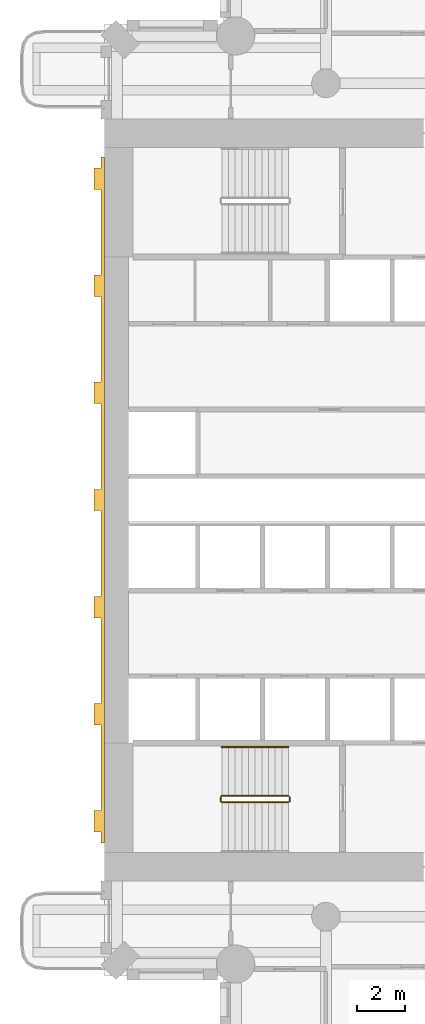
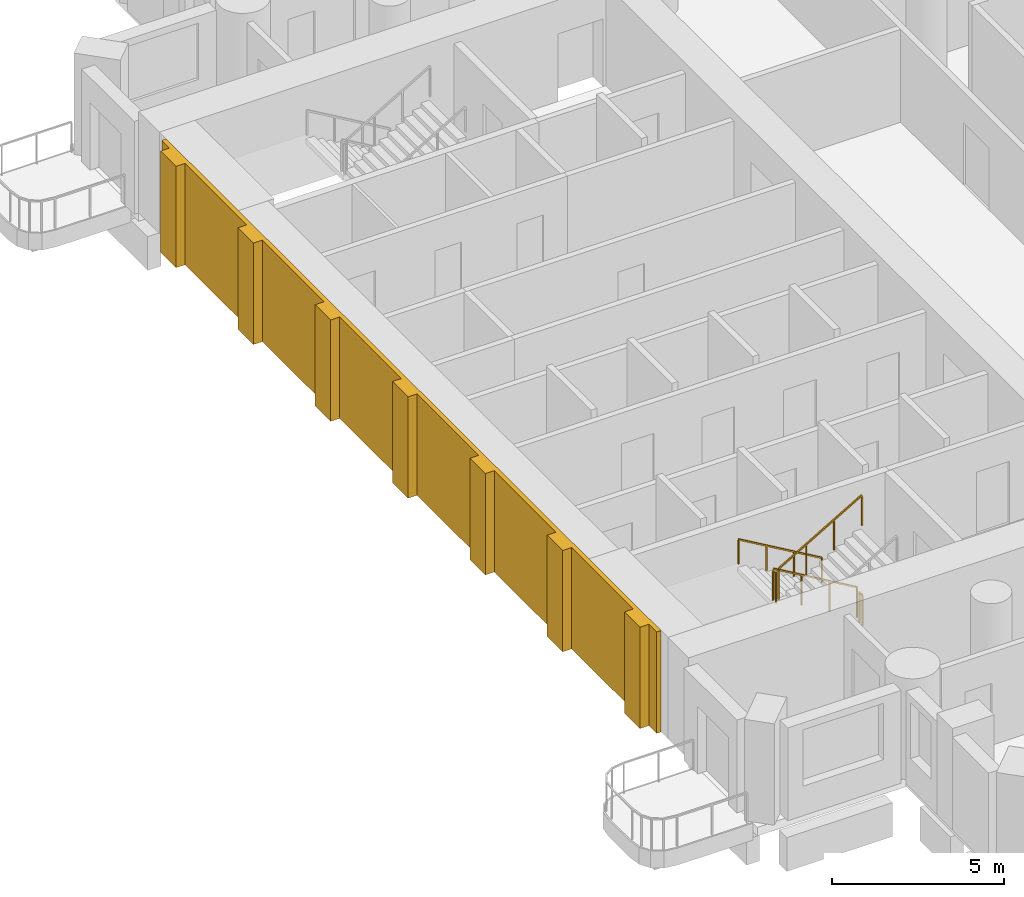
# One storey, part 13 of 19: 5 railings, 1 covering.
"""IFC4 building model written with IfcOpenShell, lengths in metres."""

import ifcopenshell
import ifcopenshell.guid

model = None  # the IFC model being written
_history = None  # IfcOwnerHistory: only IFC2X3 demands one
_inside = {}  # id of a spatial element -> (the spatial element, [elements in it])
_under = {}  # id of a project, library or spatial element -> (it, [spatial elements below it])
_declared = {}  # id of a project -> (the project, [libraries it declares])
_typed = {}  # id of a type object -> (the type object, [elements of that type])
_made_of = {}  # id of a material, layer set ... -> (it, [elements and type objects made of it])


def new_model(schema):
    """Start an empty IFC model of exactly this schema.

    Asked for "IFC4X3", IfcOpenShell would pick the latest addendum, in which some entities
    have other attributes; the version numbers below select the first issue.
    IFC2X3 requires an IfcOwnerHistory on every rooted entity: one is made here for all.
    """
    global model, _history
    if schema == "IFC4X3":
        model = ifcopenshell.file(schema_version=(4, 3, 0, 0))
    else:
        model = ifcopenshell.file(schema=schema)
    _inside.clear()
    _under.clear()
    _declared.clear()
    _typed.clear()
    _made_of.clear()
    _history = None
    if model.schema == "IFC2X3":
        org = make("IfcOrganization", Name="unknown")
        user = make(
            "IfcPersonAndOrganization",
            ThePerson=make("IfcPerson", FamilyName="unknown"),
            TheOrganization=org,
        )
        app = make(
            "IfcApplication",
            ApplicationDeveloper=org,
            Version="unknown",
            ApplicationFullName="unknown",
            ApplicationIdentifier="unknown",
        )
        _history = make(
            "IfcOwnerHistory",
            OwningUser=user,
            OwningApplication=app,
            ChangeAction="ADDED",
            CreationDate=0,
        )
    return model


def make(cls, **values):
    """One entity of the class cls with the attributes given. An attribute that is None is left unset."""
    return model.create_entity(
        cls, **{name: value for name, value in values.items() if value is not None}
    )


def rooted(cls, **values):
    """An entity with a GlobalId (a new one), such as an element, a storey or a relation."""
    return make(cls, GlobalId=ifcopenshell.guid.new(), OwnerHistory=_history, **values)


def si_unit(unit_type, name, prefix=None):
    """IfcSIUnit, for example si_unit("LENGTHUNIT", "METRE", prefix="MILLI")."""
    return make("IfcSIUnit", UnitType=unit_type, Prefix=prefix, Name=name)


def assignment(units):
    """IfcUnitAssignment: the units of a project."""
    return None if units is None else make("IfcUnitAssignment", Units=units)


def point(xyz):
    """IfcCartesianPoint."""
    return None if xyz is None else make("IfcCartesianPoint", Coordinates=xyz)


def direction(xyz):
    """IfcDirection."""
    return None if xyz is None else make("IfcDirection", DirectionRatios=xyz)


def frame(location, z_axis=None, x_axis=None):
    """IfcAxis2Placement3D, a coordinate frame: its origin and axes. An axis left out is left unset."""
    return make(
        "IfcAxis2Placement3D",
        Location=point(location),
        Axis=direction(z_axis),
        RefDirection=direction(x_axis),
    )


def frame_2d(location, x_axis=None):
    """IfcAxis2Placement2D, a coordinate frame in the plane: its origin and x axis."""
    return make(
        "IfcAxis2Placement2D", Location=point(location), RefDirection=direction(x_axis)
    )


def origin():
    """The frame at (0, 0, 0) with its axes left unset."""
    return frame((0.0, 0.0, 0.0))


def origin_2d():
    """The frame at (0, 0) in the plane with its x axis left unset."""
    return frame_2d((0.0, 0.0))


def place(relative_to, where):
    """IfcLocalPlacement: puts the frame where relative to a parent placement (None: the world)."""
    return make(
        "IfcLocalPlacement", PlacementRelTo=relative_to, RelativePlacement=where
    )


def context(
    kind, dimensions, precision=None, world=None, true_north=None, identifier=None
):
    """IfcGeometricRepresentationContext, for example the 3D "Model" context."""
    return make(
        "IfcGeometricRepresentationContext",
        ContextIdentifier=identifier,
        ContextType=kind,
        CoordinateSpaceDimension=dimensions,
        Precision=precision,
        WorldCoordinateSystem=world,
        TrueNorth=true_north,
    )


def subcontext(parent, identifier, kind, view, scale=None):
    """IfcGeometricRepresentationSubContext, for example "Body" below "Model"."""
    return make(
        "IfcGeometricRepresentationSubContext",
        ContextIdentifier=identifier,
        ContextType=kind,
        ParentContext=parent,
        TargetScale=scale,
        TargetView=view,
    )


def project(units=None, contexts=None):
    """IfcProject with its units and contexts."""
    return rooted(
        "IfcProject",
        Name="project",
        RepresentationContexts=contexts,
        UnitsInContext=assignment(units),
    )


def spatial(cls, under=None, at=None, **own):
    """A site, building, storey or space (cls), placed at a placement, below another one or the project."""
    s = rooted(cls, ObjectPlacement=at, **own)
    if under is not None:
        _under.setdefault(under.id(), (under, []))[1].append(s)
    return s


def polyline(points):
    """IfcPolyline through the points."""
    return make("IfcPolyline", Points=[point(p) for p in points])


def profile(cls, at=None, kind="AREA", **sizes):
    """A parametric profile (cls). Its sizes go by their IFC names, for example OverallWidth=200.0."""
    return make(cls, ProfileType=kind, Position=at, **sizes)


def rectangle(**sizes):
    """IfcRectangleProfileDef."""
    return profile("IfcRectangleProfileDef", **sizes)


def outline(outer, holes=None, kind="AREA"):
    """IfcArbitraryClosedProfileDef: a profile drawn as a closed curve; with holes, ...WithVoids."""
    if holes is None:
        return make("IfcArbitraryClosedProfileDef", ProfileType=kind, OuterCurve=outer)
    return make(
        "IfcArbitraryProfileDefWithVoids",
        ProfileType=kind,
        OuterCurve=outer,
        InnerCurves=holes,
    )


def extrude(swept, where, along, depth):
    """IfcExtrudedAreaSolid: the profile swept, set in the frame where, extruded along a direction by depth."""
    return make(
        "IfcExtrudedAreaSolid",
        SweptArea=swept,
        Position=where,
        ExtrudedDirection=direction(along),
        Depth=depth,
    )


def shape(context_of_items, identifier, shape_type, items):
    """IfcShapeRepresentation: the items that make up one representation, for example the "Body"."""
    return make(
        "IfcShapeRepresentation",
        ContextOfItems=context_of_items,
        RepresentationIdentifier=identifier,
        RepresentationType=shape_type,
        Items=items,
    )


def material(Name=None, Category=None):
    """IfcMaterial."""
    return make("IfcMaterial", Name=Name, Category=Category)


def layer(
    of_material, thickness, ventilated=None, Name=None, Category=None, Priority=None
):
    """IfcMaterialLayer: one layer of a wall or slab, of a material (None: an air gap)."""
    return make(
        "IfcMaterialLayer",
        Material=of_material,
        LayerThickness=thickness,
        IsVentilated=ventilated,
        Name=Name,
        Category=Category,
        Priority=Priority,
    )


def layer_set(layers, Name=None):
    """IfcMaterialLayerSet."""
    return make("IfcMaterialLayerSet", MaterialLayers=layers, LayerSetName=Name)


def made_of(thing, what):
    """Note that an element or type object is made of a material, layer set ...; save() writes the relation."""
    if what is not None:
        _made_of.setdefault(what.id(), (what, []))[1].append(thing)
    return thing


def type_object(cls, material=None, **own):
    """A type object (cls), such as IfcWallType, which elements share."""
    return made_of(rooted(cls, **own), material)


def element(
    cls,
    number,
    at=None,
    inside=None,
    cuts=None,
    type_object=None,
    material=None,
    context=None,
    identifier="Body",
    shape_type=None,
    held_by="IfcProductDefinitionShape",
    body=None,
    shapes=None,
    **own,
):
    """One element of the class cls, such as IfcWall. Its Tag is "e" and its number.

    at: its placement. inside: the storey or other place that contains it. cuts: it is an
    opening in that element (IfcRelVoidsElement). A single representation is given by context,
    identifier, shape_type and body (its items); several are given by shapes. held_by: the class
    of the entity that holds the representations. save() writes the other relations.
    """
    e = rooted(cls, Tag="e%d" % number, ObjectPlacement=at, **own)
    if body is not None:
        shapes = [shape(context, identifier, shape_type, body)]
    if shapes is not None:
        e.Representation = make(held_by, Representations=shapes)
    if inside is not None:
        _inside.setdefault(inside.id(), (inside, []))[1].append(e)
    if cuts is not None:
        rooted(
            "IfcRelVoidsElement", RelatingBuildingElement=cuts, RelatedOpeningElement=e
        )
    if type_object is not None:
        _typed.setdefault(type_object.id(), (type_object, []))[1].append(e)
    return made_of(e, material)


def aggregate(whole, parts):
    """IfcRelAggregates: a whole, such as a stair, and the parts it consists of."""
    return rooted("IfcRelAggregates", RelatingObject=whole, RelatedObjects=parts)


def save(model, path):
    """Write the relations noted so far, then the file.

    IfcRelAggregates (storeys below a building ...), IfcRelContainedInSpatialStructure (elements
    in a storey), IfcRelDefinesByType, IfcRelAssociatesMaterial and IfcRelDeclares: one each for
    every whole, place, type object, material and project.
    """
    for whole, parts in _under.values():
        aggregate(whole, parts)
    for where, things in _inside.values():
        rooted(
            "IfcRelContainedInSpatialStructure",
            RelatedElements=things,
            RelatingStructure=where,
        )
    for kind, things in _typed.values():
        rooted("IfcRelDefinesByType", RelatedObjects=things, RelatingType=kind)
    for what, things in _made_of.values():
        rooted("IfcRelAssociatesMaterial", RelatedObjects=things, RelatingMaterial=what)
    for by, libraries in _declared.values():
        rooted("IfcRelDeclares", RelatingContext=by, RelatedDefinitions=libraries)
    model.write(path)


model = new_model("IFC4")

# Units and contexts
model_context = context("Model", 3, precision=1e-05, world=origin(), true_north=direction((0.0, 1.0)))
body_context = subcontext(model_context, "Body", "Model", "MODEL_VIEW")
ifc_project = project(units=[si_unit("LENGTHUNIT", "METRE"), si_unit("AREAUNIT", "SQUARE_METRE"), si_unit("VOLUMEUNIT", "CUBIC_METRE"), si_unit("PLANEANGLEUNIT", "RADIAN"), si_unit("MASSUNIT", "GRAM", prefix="KILO")], contexts=[model_context])

# Site, building, storey
site_placement = place(None, origin())
site = spatial("IfcSite", under=ifc_project, at=site_placement, CompositionType="ELEMENT")
building_placement = place(site_placement, origin())
building = spatial("IfcBuilding", under=site, at=building_placement, Name="Cypress Arch Tower", CompositionType="ELEMENT")
storey_placement = place(building_placement, frame((0.0, 0.0, 69.89990234375)))
storey = spatial("IfcBuildingStorey", under=building, at=storey_placement, Name="L11", CompositionType="ELEMENT", Elevation=69.89990234375)

# Railings
ifc_material_1 = material(Name="Black powder-coated steel square bar 48 mm", Category="steel")
railing_type_1 = type_object("IfcRailingType", Name="Stair handrail HR1", PredefinedType="HANDRAIL", material=ifc_material_1)
railing_1_placement = place(storey_placement, frame((-22.27490234375, -10.375, 0.163818359375)))
element("IfcRailing", 1, at=railing_1_placement, inside=storey, type_object=railing_type_1, Name="L11 A stair handrail 1", PredefinedType="HANDRAIL", context=body_context, shape_type="SweptSolid", body=[
    extrude(rectangle(XDim=0.048095703125, YDim=0.048095703125, at=origin_2d()), frame((0.0, 0.0, 0.8759765625), z_axis=(-0.863393664356, 0.0, 0.504530851732), x_axis=(0.0, -1.0, 0.0)), (0.0, 0.0, 1.0), 3.2431640625),
    extrude(rectangle(XDim=0.0419921875, YDim=0.0419921875, at=origin_2d()), origin(), (0.0, 0.0, 1.0), 0.851806640625),
    extrude(rectangle(XDim=0.0419921875, YDim=0.0419921875, at=origin_2d()), frame((-0.933349609375, 0.0, 0.54541015625)), (0.0, 0.0, 1.0), 0.851806640625),
    extrude(rectangle(XDim=0.0419921875, YDim=0.0419921875, at=origin_2d()), frame((-1.86669921875, 0.0, 1.0908203125)), (0.0, 0.0, 1.0), 0.851806640625),
    extrude(rectangle(XDim=0.0419921875, YDim=0.0419921875, at=origin_2d()), frame((-2.800048828125, 0.0, 1.63623046875)), (0.0, 0.0, 1.0), 0.851806640625),
])
ifc_material_2 = material(Name="Black powder-coated steel balusters", Category="steel")
railing_type_2 = type_object("IfcRailingType", Name="Stair well guard G1", PredefinedType="GUARDRAIL", material=ifc_material_2)
railing_2_placement = place(storey_placement, frame((-22.27490234375, -12.425048828125, 0.163818359375)))
element("IfcRailing", 2, at=railing_2_placement, inside=storey, type_object=railing_type_2, Name="L11 A stair guard 1", PredefinedType="GUARDRAIL", context=body_context, shape_type="SweptSolid", body=[
    extrude(rectangle(XDim=0.048095703125, YDim=0.048095703125, at=origin_2d()), frame((0.0, 0.0, 1.076171875), z_axis=(-0.863393664356, 0.0, 0.504530851732), x_axis=(0.0, -1.0, 0.0)), (0.0, 0.0, 1.0), 3.2431640625),
    extrude(rectangle(XDim=0.0419921875, YDim=0.0419921875, at=origin_2d()), origin(), (0.0, 0.0, 1.0), 1.052001953125),
    extrude(rectangle(XDim=0.0419921875, YDim=0.0419921875, at=origin_2d()), frame((-0.933349609375, 0.0, 0.54541015625)), (0.0, 0.0, 1.0), 1.052001953125),
    extrude(rectangle(XDim=0.0419921875, YDim=0.0419921875, at=origin_2d()), frame((-1.86669921875, 0.0, 1.0908203125)), (0.0, 0.0, 1.0), 1.052001953125),
    extrude(rectangle(XDim=0.0419921875, YDim=0.0419921875, at=origin_2d()), frame((-2.800048828125, 0.0, 1.63623046875)), (0.0, 0.0, 1.0), 1.052001953125),
])
railing_3_placement = place(storey_placement, frame((-25.125, -12.47509765625, 1.800048828125)))
element("IfcRailing", 3, at=railing_3_placement, inside=storey, type_object=railing_type_2, Name="L11 A stair guard 2", PredefinedType="GUARDRAIL", context=body_context, shape_type="SweptSolid", body=[
    extrude(rectangle(XDim=0.048095703125, YDim=0.048095703125, at=origin_2d()), frame((0.0, 0.0, 1.076171875), z_axis=(0.0, -1.0, 0.0), x_axis=(1.0, 0.0, 0.0)), (0.0, 0.0, 1.0), 0.1748046875),
    extrude(rectangle(XDim=0.0419921875, YDim=0.0419921875, at=origin_2d()), origin(), (0.0, 0.0, 1.0), 1.052001953125),
    extrude(rectangle(XDim=0.0419921875, YDim=0.0419921875, at=origin_2d()), frame((0.0, -0.1748046875, 0.0)), (0.0, 0.0, 1.0), 1.052001953125),
])
railing_4_placement = place(storey_placement, frame((-25.074951171875, -12.699951171875, 1.963623046875)))
element("IfcRailing", 4, at=railing_4_placement, inside=storey, type_object=railing_type_2, Name="L11 A stair guard 3", PredefinedType="GUARDRAIL", context=body_context, shape_type="SweptSolid", body=[
    extrude(rectangle(XDim=0.048095703125, YDim=0.048095703125, at=origin_2d()), frame((0.0, 0.0, 1.076171875), z_axis=(0.863360870873, 0.0, 0.504586966384), x_axis=(0.0, 1.0, 0.0)), (0.0, 0.0, 1.0), 3.2431640625),
    extrude(rectangle(XDim=0.0419921875, YDim=0.0419921875, at=origin_2d()), origin(), (0.0, 0.0, 1.0), 1.052001953125),
    extrude(rectangle(XDim=0.0419921875, YDim=0.0419921875, at=origin_2d()), frame((0.933349609375, 0.0, 0.54541015625)), (0.0, 0.0, 1.0), 1.052001953125),
    extrude(rectangle(XDim=0.0419921875, YDim=0.0419921875, at=origin_2d()), frame((1.86669921875, 0.0, 1.091064453125)), (0.0, 0.0, 1.0), 1.052001953125),
    extrude(rectangle(XDim=0.0419921875, YDim=0.0419921875, at=origin_2d()), frame((2.800048828125, 0.0, 1.636474609375)), (0.0, 0.0, 1.0), 1.052001953125),
])
railing_5_placement = place(storey_placement, frame((-22.22509765625, -12.47509765625, 0.0)))
element("IfcRailing", 5, at=railing_5_placement, inside=storey, type_object=railing_type_2, Name="L11 A stair guard 4", PredefinedType="GUARDRAIL", context=body_context, shape_type="SweptSolid", body=[
    extrude(rectangle(XDim=0.048095703125, YDim=0.048095703125, at=origin_2d()), frame((0.0, 0.0, 1.076171875), z_axis=(0.0, -1.0, 0.0), x_axis=(1.0, 0.0, 0.0)), (0.0, 0.0, 1.0), 0.1748046875),
    extrude(rectangle(XDim=0.0419921875, YDim=0.0419921875, at=origin_2d()), origin(), (0.0, 0.0, 1.0), 1.052001953125),
    extrude(rectangle(XDim=0.0419921875, YDim=0.0419921875, at=origin_2d()), frame((0.0, -0.1748046875, 0.0)), (0.0, 0.0, 1.0), 1.052001953125),
])

# Covering
ifc_material_3 = material(Name="Brick (red buff blend)", Category="masonry")
ifc_layer = layer(ifc_material_3, 0.449951171875)
ifc_layer_set = layer_set([ifc_layer], Name="West face brick piers WP450")
covering_type = type_object("IfcCoveringType", Name="West face brick piers WP450", PredefinedType="CLADDING", material=ifc_layer_set)
covering_placement = place(storey_placement, origin())
element("IfcCovering", 6, at=covering_placement, inside=storey, type_object=covering_type, Name="West face brick piers L11", PredefinedType="CLADDING", context=body_context, shape_type="SweptSolid", body=[
    extrude(outline(polyline([(-30.14990234375, -13.050048828125), (-30.14990234375, -9.449951171875), (-30.449951171875, -9.449951171875), (-30.449951171875, -8.550048828125), (-30.14990234375, -8.550048828125), (-30.14990234375, -4.949951171875), (-30.449951171875, -4.949951171875), (-30.449951171875, -4.050048828125), (-30.14990234375, -4.050048828125), (-30.14990234375, -0.449951171875), (-30.449951171875, -0.449951171875), (-30.449951171875, 0.449951171875), (-30.14990234375, 0.449951171875), (-30.14990234375, 4.050048828125), (-30.449951171875, 4.050048828125), (-30.449951171875, 4.949951171875), (-30.14990234375, 4.949951171875), (-30.14990234375, 8.550048828125), (-30.449951171875, 8.550048828125), (-30.449951171875, 9.449951171875), (-30.14990234375, 9.449951171875), (-30.14990234375, 13.050048828125), (-30.449951171875, 13.050048828125), (-30.449951171875, 13.949951171875), (-30.14990234375, 13.949951171875), (-30.14990234375, 14.39990234375), (-30.0, 14.39990234375), (-30.0, -14.39990234375), (-30.14990234375, -14.39990234375), (-30.14990234375, -13.949951171875), (-30.449951171875, -13.949951171875), (-30.449951171875, -13.050048828125), (-30.14990234375, -13.050048828125)])), origin(), (0.0, 0.0, 1.0), 3.60009765625),
])

save(model, "model.ifc")
